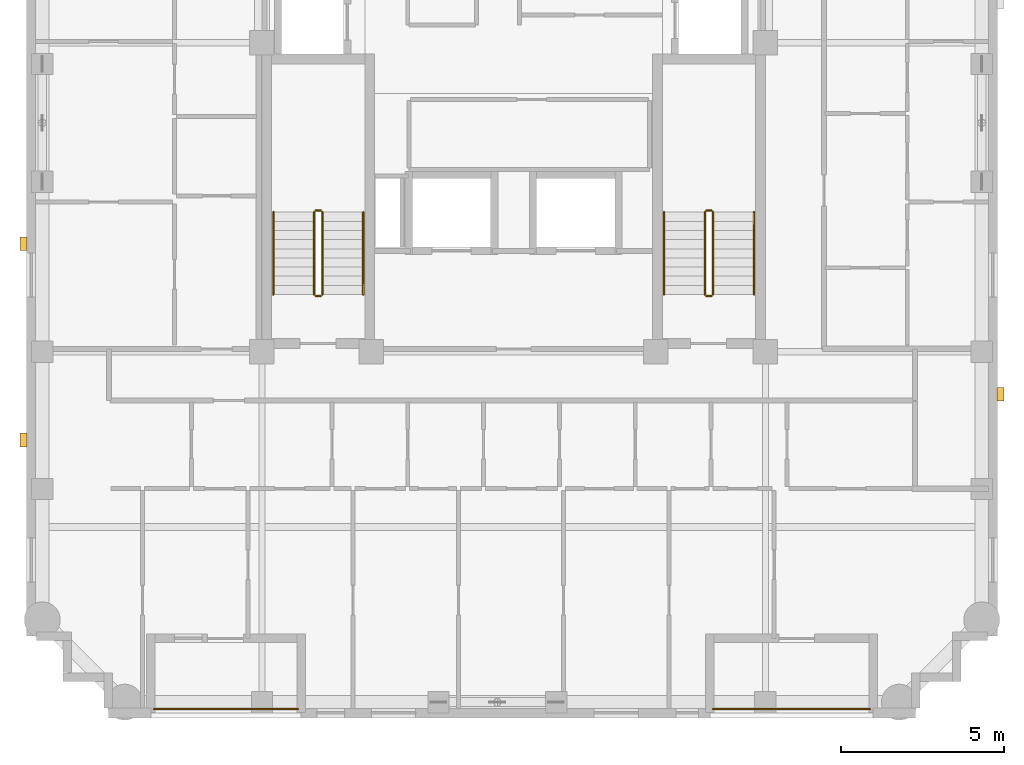
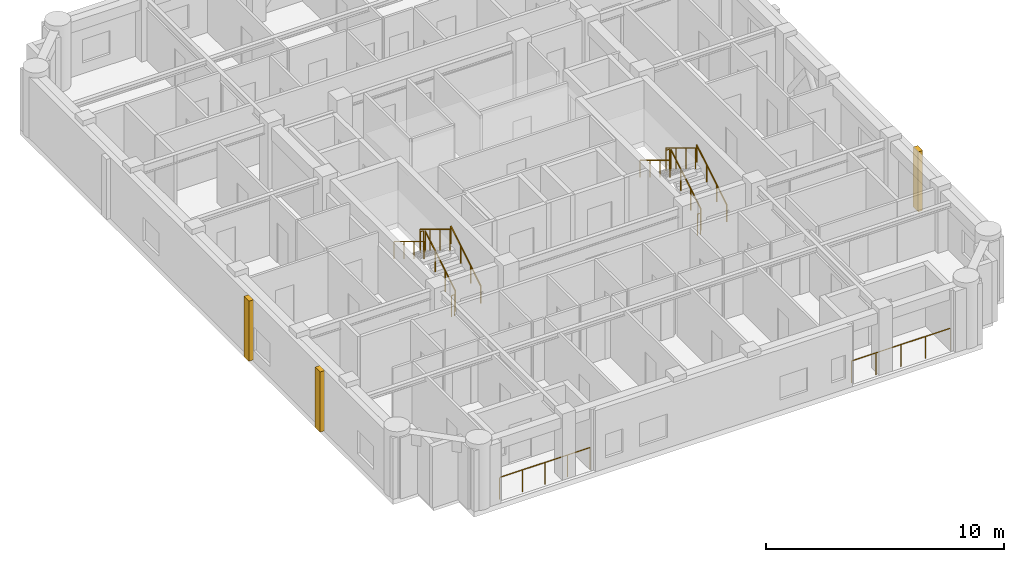
# One storey, part 10 of 11: 14 railings, 3 coverings.
"""IFC4 building model written with IfcOpenShell, lengths in metres."""

from ifc_helpers import new_model, si_unit, derived_unit, direction, frame, origin, origin_2d, place, context, subcontext, project, spatial, rectangle, circle, extrude, material, layer, layer_set, type_object, element, save


model = new_model("IFC4")

# Units and contexts
model_context = context("Model", 3, precision=1e-05, world=origin(), true_north=direction((0.0, 1.0)))
body_context = subcontext(model_context, "Body", "Model", "MODEL_VIEW")
ifc_project = project(units=[si_unit("LENGTHUNIT", "METRE"), si_unit("AREAUNIT", "SQUARE_METRE"), si_unit("VOLUMEUNIT", "CUBIC_METRE"), si_unit("PLANEANGLEUNIT", "RADIAN"), si_unit("MASSUNIT", "GRAM", prefix="KILO"), derived_unit("THERMALTRANSMITTANCEUNIT", [(si_unit("MASSUNIT", "GRAM", prefix="KILO"), 1), (si_unit("TIMEUNIT", "SECOND"), -3), (si_unit("THERMODYNAMICTEMPERATUREUNIT", "KELVIN"), -1)])], contexts=[model_context])

# Site, building, storey
site_placement = place(None, origin())
site = spatial("IfcSite", under=ifc_project, at=site_placement, CompositionType="ELEMENT")
building_placement = place(site_placement, origin())
building = spatial("IfcBuilding", under=site, at=building_placement, Name="Korrvale Station Residences", CompositionType="ELEMENT")
storey_placement = place(building_placement, frame((0.0, 0.0, 227.5)))
storey = spatial("IfcBuildingStorey", under=building, at=storey_placement, Name="L66", CompositionType="ELEMENT", Elevation=227.5)

# Coverings
ifc_material_1 = material(Name="Architectural precast concrete C45/55", Category="concrete")
ifc_layer = layer(ifc_material_1, 0.219970703125, Name="Architectural precast concrete C45/55")
ifc_layer_set = layer_set([ifc_layer], Name="Architectural precast concrete C45/55")
covering_type = type_object("IfcCoveringType", Name="COV-PIER-400", PredefinedType="CLADDING", material=ifc_layer_set)
for number, where, z_axis, x_axis, name in (
    (1, (10.510009765625, 12.300048828125, 0.02490234375), (0.0, 0.0, 1.0), (0.0, 1.0, 0.0), "L66 Architectural Precast Facade Pier 02"),
    (2, (10.510009765625, 18.300048828125, 0.02490234375), (0.0, 0.0, 1.0), (0.0, 1.0, 0.0), "L66 Architectural Precast Facade Pier 03"),
    (3, (40.389892578125, 13.699951171875, 0.02490234375), (0.0, 0.0, 1.0), (0.0, 1.0, 0.0), "L66 Architectural Precast Facade Pier 07"),
):
    element("IfcCovering", number, at=place(storey_placement, frame(where, z_axis=z_axis, x_axis=x_axis)), inside=storey, type_object=covering_type, Name=name, PredefinedType="CLADDING", context=body_context, shape_type="SweptSolid", body=[
        extrude(rectangle(XDim=0.419921875, YDim=0.219970703125, at=origin_2d()), origin(), (0.0, 0.0, 1.0), 3.090087890625),
    ])

# Railings
ifc_material_2 = material(Name="Powder-coated aluminium picket loggia guard", Category="aluminium")
railing_type_1 = type_object("IfcRailingType", Name="RLG-BAL-1150", PredefinedType="GUARDRAIL", material=ifc_material_2)
railing_1_placement = place(storey_placement, frame((31.60009765625, 4.070068359375, 0.0)))
element("IfcRailing", 4, at=railing_1_placement, inside=storey, type_object=railing_type_1, Name="L66 Recessed Loggia Guardrail BAL-L66-S2", PredefinedType="GUARDRAIL", context=body_context, shape_type="SweptSolid", body=[
    extrude(circle(Radius=0.02392578125, at=origin_2d()), frame((0.0, 0.0, 1.1259765625), z_axis=(1.0, 0.0, 0.0), x_axis=(0.0, 1.0, 0.0)), (0.0, 0.0, 1.0), 4.7998046875),
    extrude(circle(Radius=0.02099609375, at=origin_2d()), origin(), (0.0, 0.0, 1.0), 1.101806640625),
    extrude(circle(Radius=0.02099609375, at=origin_2d()), frame((1.199951171875, 0.0, 0.0)), (0.0, 0.0, 1.0), 1.101806640625),
    extrude(circle(Radius=0.02099609375, at=origin_2d()), frame((2.39990234375, 0.0, 0.0)), (0.0, 0.0, 1.0), 1.101806640625),
    extrude(circle(Radius=0.02099609375, at=origin_2d()), frame((3.599853515625, 0.0, 0.0)), (0.0, 0.0, 1.0), 1.101806640625),
    extrude(circle(Radius=0.02099609375, at=origin_2d()), frame((4.7998046875, 0.0, 0.0)), (0.0, 0.0, 1.0), 1.101806640625),
])
railing_2_placement = place(storey_placement, frame((14.5, 4.070068359375, 0.0)))
element("IfcRailing", 5, at=railing_2_placement, inside=storey, type_object=railing_type_1, Name="L66 Recessed Loggia Guardrail BAL-L66-S1", PredefinedType="GUARDRAIL", context=body_context, shape_type="SweptSolid", body=[
    extrude(circle(Radius=0.02392578125, at=origin_2d()), frame((0.0, 0.0, 1.1259765625), z_axis=(1.0, 0.0, 0.0), x_axis=(0.0, 1.0, 0.0)), (0.0, 0.0, 1.0), 4.39990234375),
    extrude(circle(Radius=0.02099609375, at=origin_2d()), origin(), (0.0, 0.0, 1.0), 1.101806640625),
    extrude(circle(Radius=0.02099609375, at=origin_2d()), frame((1.10009765625, 0.0, 0.0)), (0.0, 0.0, 1.0), 1.101806640625),
    extrude(circle(Radius=0.02099609375, at=origin_2d()), frame((2.199951171875, 0.0, 0.0)), (0.0, 0.0, 1.0), 1.101806640625),
    extrude(circle(Radius=0.02099609375, at=origin_2d()), frame((3.2998046875, 0.0, 0.0)), (0.0, 0.0, 1.0), 1.101806640625),
    extrude(circle(Radius=0.02099609375, at=origin_2d()), frame((4.39990234375, 0.0, 0.0)), (0.0, 0.0, 1.0), 1.101806640625),
])
ifc_material_3 = material(Name="Brushed stainless-steel continuous stair handrail", Category="steel")
railing_type_2 = type_object("IfcRailingType", Name="RLG-SHND-900", PredefinedType="HANDRAIL", material=ifc_material_3)
railing_3_placement = place(storey_placement, frame((20.89990234375, 16.75, 0.169921875)))
element("IfcRailing", 6, at=railing_3_placement, inside=storey, type_object=railing_type_2, Name="L66 ST-1 stair handrail 1", PredefinedType="HANDRAIL", context=body_context, shape_type="SweptSolid", body=[
    extrude(circle(Radius=0.02392578125, at=origin_2d()), frame((0.0, 0.0, 0.8759765625), z_axis=(0.0, 0.85478489116, 0.518982456201), x_axis=(-1.0, 0.0, 0.0)), (0.0, 0.0, 1.0), 2.9482421875),
    extrude(circle(Radius=0.02099609375, at=origin_2d()), origin(), (0.0, 0.0, 1.0), 0.851806640625),
    extrude(circle(Radius=0.02099609375, at=origin_2d()), frame((0.0, 0.840087890625, 0.510009765625)), (0.0, 0.0, 1.0), 0.851806640625),
    extrude(circle(Radius=0.02099609375, at=origin_2d()), frame((0.0, 1.679931640625, 1.02001953125)), (0.0, 0.0, 1.0), 0.851806640625),
    extrude(circle(Radius=0.02099609375, at=origin_2d()), frame((0.0, 2.52001953125, 1.530029296875)), (0.0, 0.0, 1.0), 0.851806640625),
])
railing_4_placement = place(storey_placement, frame((18.14990234375, 19.27001953125, 1.8701171875)))
element("IfcRailing", 7, at=railing_4_placement, inside=storey, type_object=railing_type_2, Name="L66 ST-1 stair handrail 2", PredefinedType="HANDRAIL", context=body_context, shape_type="SweptSolid", body=[
    extrude(circle(Radius=0.02392578125, at=origin_2d()), frame((0.0, 0.0, 0.8759765625), z_axis=(0.0, -0.854821627497, 0.518921945155), x_axis=(1.0, 0.0, 0.0)), (0.0, 0.0, 1.0), 2.947998046875),
    extrude(circle(Radius=0.02099609375, at=origin_2d()), origin(), (0.0, 0.0, 1.0), 0.851806640625),
    extrude(circle(Radius=0.02099609375, at=origin_2d()), frame((0.0, -0.840087890625, 0.510009765625)), (0.0, 0.0, 1.0), 0.851806640625),
    extrude(circle(Radius=0.02099609375, at=origin_2d()), frame((0.0, -1.679931640625, 1.019775390625)), (0.0, 0.0, 1.0), 0.851806640625),
    extrude(circle(Radius=0.02099609375, at=origin_2d()), frame((0.0, -2.52001953125, 1.52978515625)), (0.0, 0.0, 1.0), 0.851806640625),
])
railing_5_placement = place(storey_placement, frame((32.85009765625, 16.75, 0.169921875)))
element("IfcRailing", 8, at=railing_5_placement, inside=storey, type_object=railing_type_2, Name="L66 ST-2 stair handrail 1", PredefinedType="HANDRAIL", context=body_context, shape_type="SweptSolid", body=[
    extrude(circle(Radius=0.02392578125, at=origin_2d()), frame((0.0, 0.0, 0.8759765625), z_axis=(0.0, 0.85478489116, 0.518982456201), x_axis=(-1.0, 0.0, 0.0)), (0.0, 0.0, 1.0), 2.9482421875),
    extrude(circle(Radius=0.02099609375, at=origin_2d()), origin(), (0.0, 0.0, 1.0), 0.851806640625),
    extrude(circle(Radius=0.02099609375, at=origin_2d()), frame((0.0, 0.840087890625, 0.510009765625)), (0.0, 0.0, 1.0), 0.851806640625),
    extrude(circle(Radius=0.02099609375, at=origin_2d()), frame((0.0, 1.679931640625, 1.02001953125)), (0.0, 0.0, 1.0), 0.851806640625),
    extrude(circle(Radius=0.02099609375, at=origin_2d()), frame((0.0, 2.52001953125, 1.530029296875)), (0.0, 0.0, 1.0), 0.851806640625),
])
railing_6_placement = place(storey_placement, frame((30.10009765625, 19.27001953125, 1.8701171875)))
element("IfcRailing", 9, at=railing_6_placement, inside=storey, type_object=railing_type_2, Name="L66 ST-2 stair handrail 2", PredefinedType="HANDRAIL", context=body_context, shape_type="SweptSolid", body=[
    extrude(circle(Radius=0.02392578125, at=origin_2d()), frame((0.0, 0.0, 0.8759765625), z_axis=(0.0, -0.854821627497, 0.518921945155), x_axis=(1.0, 0.0, 0.0)), (0.0, 0.0, 1.0), 2.947998046875),
    extrude(circle(Radius=0.02099609375, at=origin_2d()), origin(), (0.0, 0.0, 1.0), 0.851806640625),
    extrude(circle(Radius=0.02099609375, at=origin_2d()), frame((0.0, -0.840087890625, 0.510009765625)), (0.0, 0.0, 1.0), 0.851806640625),
    extrude(circle(Radius=0.02099609375, at=origin_2d()), frame((0.0, -1.679931640625, 1.019775390625)), (0.0, 0.0, 1.0), 0.851806640625),
    extrude(circle(Radius=0.02099609375, at=origin_2d()), frame((0.0, -2.52001953125, 1.52978515625)), (0.0, 0.0, 1.0), 0.851806640625),
])
ifc_material_4 = material(Name="Galvanised painted tubular steel stair guard", Category="steel")
railing_type_3 = type_object("IfcRailingType", Name="RLG-STR-1100", PredefinedType="GUARDRAIL", material=ifc_material_4)
railing_7_placement = place(storey_placement, frame((19.64990234375, 16.75, 0.169921875)))
element("IfcRailing", 10, at=railing_7_placement, inside=storey, type_object=railing_type_3, Name="L66 ST-1 stair guard 1", PredefinedType="GUARDRAIL", context=body_context, shape_type="SweptSolid", body=[
    extrude(circle(Radius=0.02392578125, at=origin_2d()), frame((0.0, 0.0, 1.076171875), z_axis=(0.0, 0.85478489116, 0.518982456201), x_axis=(-1.0, 0.0, 0.0)), (0.0, 0.0, 1.0), 2.9482421875),
    extrude(circle(Radius=0.02099609375, at=origin_2d()), origin(), (0.0, 0.0, 1.0), 1.052001953125),
    extrude(circle(Radius=0.02099609375, at=origin_2d()), frame((0.0, 0.840087890625, 0.510009765625)), (0.0, 0.0, 1.0), 1.052001953125),
    extrude(circle(Radius=0.02099609375, at=origin_2d()), frame((0.0, 1.679931640625, 1.02001953125)), (0.0, 0.0, 1.0), 1.052001953125),
    extrude(circle(Radius=0.02099609375, at=origin_2d()), frame((0.0, 2.52001953125, 1.530029296875)), (0.0, 0.0, 1.0), 1.052001953125),
])
railing_8_placement = place(storey_placement, frame((19.60009765625, 19.320068359375, 1.699951171875)))
element("IfcRailing", 11, at=railing_8_placement, inside=storey, type_object=railing_type_3, Name="L66 ST-1 stair guard 2", PredefinedType="GUARDRAIL", context=body_context, shape_type="SweptSolid", body=[
    extrude(circle(Radius=0.02392578125, at=origin_2d()), frame((0.0, 0.0, 1.076171875), z_axis=(-1.0, 0.0, 0.0), x_axis=(0.0, -1.0, 0.0)), (0.0, 0.0, 1.0), 0.150146484375),
    extrude(circle(Radius=0.02099609375, at=origin_2d()), origin(), (0.0, 0.0, 1.0), 1.052001953125),
    extrude(circle(Radius=0.02099609375, at=origin_2d()), frame((-0.150146484375, 0.0, 0.0)), (0.0, 0.0, 1.0), 1.052001953125),
])
railing_9_placement = place(storey_placement, frame((19.39990234375, 19.27001953125, 1.8701171875)))
element("IfcRailing", 12, at=railing_9_placement, inside=storey, type_object=railing_type_3, Name="L66 ST-1 stair guard 3", PredefinedType="GUARDRAIL", context=body_context, shape_type="SweptSolid", body=[
    extrude(circle(Radius=0.02392578125, at=origin_2d()), frame((0.0, 0.0, 1.076171875), z_axis=(0.0, -0.854821627497, 0.518921945155), x_axis=(1.0, 0.0, 0.0)), (0.0, 0.0, 1.0), 2.947998046875),
    extrude(circle(Radius=0.02099609375, at=origin_2d()), origin(), (0.0, 0.0, 1.0), 1.052001953125),
    extrude(circle(Radius=0.02099609375, at=origin_2d()), frame((0.0, -0.840087890625, 0.510009765625)), (0.0, 0.0, 1.0), 1.052001953125),
    extrude(circle(Radius=0.02099609375, at=origin_2d()), frame((0.0, -1.679931640625, 1.019775390625)), (0.0, 0.0, 1.0), 1.052001953125),
    extrude(circle(Radius=0.02099609375, at=origin_2d()), frame((0.0, -2.52001953125, 1.52978515625)), (0.0, 0.0, 1.0), 1.052001953125),
])
railing_10_placement = place(storey_placement, frame((19.60009765625, 16.699951171875, 0.0)))
element("IfcRailing", 13, at=railing_10_placement, inside=storey, type_object=railing_type_3, Name="L66 ST-1 stair guard 4", PredefinedType="GUARDRAIL", context=body_context, shape_type="SweptSolid", body=[
    extrude(circle(Radius=0.02392578125, at=origin_2d()), frame((0.0, 0.0, 1.076171875), z_axis=(-1.0, 0.0, 0.0), x_axis=(0.0, -1.0, 0.0)), (0.0, 0.0, 1.0), 0.150146484375),
    extrude(circle(Radius=0.02099609375, at=origin_2d()), origin(), (0.0, 0.0, 1.0), 1.052001953125),
    extrude(circle(Radius=0.02099609375, at=origin_2d()), frame((-0.150146484375, 0.0, 0.0)), (0.0, 0.0, 1.0), 1.052001953125),
])
railing_11_placement = place(storey_placement, frame((31.60009765625, 16.75, 0.169921875)))
element("IfcRailing", 14, at=railing_11_placement, inside=storey, type_object=railing_type_3, Name="L66 ST-2 stair guard 1", PredefinedType="GUARDRAIL", context=body_context, shape_type="SweptSolid", body=[
    extrude(circle(Radius=0.02392578125, at=origin_2d()), frame((0.0, 0.0, 1.076171875), z_axis=(0.0, 0.85478489116, 0.518982456201), x_axis=(-1.0, 0.0, 0.0)), (0.0, 0.0, 1.0), 2.9482421875),
    extrude(circle(Radius=0.02099609375, at=origin_2d()), origin(), (0.0, 0.0, 1.0), 1.052001953125),
    extrude(circle(Radius=0.02099609375, at=origin_2d()), frame((0.0, 0.840087890625, 0.510009765625)), (0.0, 0.0, 1.0), 1.052001953125),
    extrude(circle(Radius=0.02099609375, at=origin_2d()), frame((0.0, 1.679931640625, 1.02001953125)), (0.0, 0.0, 1.0), 1.052001953125),
    extrude(circle(Radius=0.02099609375, at=origin_2d()), frame((0.0, 2.52001953125, 1.530029296875)), (0.0, 0.0, 1.0), 1.052001953125),
])
railing_12_placement = place(storey_placement, frame((31.550048828125, 19.320068359375, 1.699951171875)))
element("IfcRailing", 15, at=railing_12_placement, inside=storey, type_object=railing_type_3, Name="L66 ST-2 stair guard 2", PredefinedType="GUARDRAIL", context=body_context, shape_type="SweptSolid", body=[
    extrude(circle(Radius=0.02392578125, at=origin_2d()), frame((0.0, 0.0, 1.076171875), z_axis=(-1.0, 0.0, 0.0), x_axis=(0.0, -1.0, 0.0)), (0.0, 0.0, 1.0), 0.150146484375),
    extrude(circle(Radius=0.02099609375, at=origin_2d()), origin(), (0.0, 0.0, 1.0), 1.052001953125),
    extrude(circle(Radius=0.02099609375, at=origin_2d()), frame((-0.150146484375, 0.0, 0.0)), (0.0, 0.0, 1.0), 1.052001953125),
])
railing_13_placement = place(storey_placement, frame((31.35009765625, 19.27001953125, 1.8701171875)))
element("IfcRailing", 16, at=railing_13_placement, inside=storey, type_object=railing_type_3, Name="L66 ST-2 stair guard 3", PredefinedType="GUARDRAIL", context=body_context, shape_type="SweptSolid", body=[
    extrude(circle(Radius=0.02392578125, at=origin_2d()), frame((0.0, 0.0, 1.076171875), z_axis=(0.0, -0.854821627497, 0.518921945155), x_axis=(1.0, 0.0, 0.0)), (0.0, 0.0, 1.0), 2.947998046875),
    extrude(circle(Radius=0.02099609375, at=origin_2d()), origin(), (0.0, 0.0, 1.0), 1.052001953125),
    extrude(circle(Radius=0.02099609375, at=origin_2d()), frame((0.0, -0.840087890625, 0.510009765625)), (0.0, 0.0, 1.0), 1.052001953125),
    extrude(circle(Radius=0.02099609375, at=origin_2d()), frame((0.0, -1.679931640625, 1.019775390625)), (0.0, 0.0, 1.0), 1.052001953125),
    extrude(circle(Radius=0.02099609375, at=origin_2d()), frame((0.0, -2.52001953125, 1.52978515625)), (0.0, 0.0, 1.0), 1.052001953125),
])
railing_14_placement = place(storey_placement, frame((31.550048828125, 16.699951171875, 0.0)))
element("IfcRailing", 17, at=railing_14_placement, inside=storey, type_object=railing_type_3, Name="L66 ST-2 stair guard 4", PredefinedType="GUARDRAIL", context=body_context, shape_type="SweptSolid", body=[
    extrude(circle(Radius=0.02392578125, at=origin_2d()), frame((0.0, 0.0, 1.076171875), z_axis=(-1.0, 0.0, 0.0), x_axis=(0.0, -1.0, 0.0)), (0.0, 0.0, 1.0), 0.150146484375),
    extrude(circle(Radius=0.02099609375, at=origin_2d()), origin(), (0.0, 0.0, 1.0), 1.052001953125),
    extrude(circle(Radius=0.02099609375, at=origin_2d()), frame((-0.150146484375, 0.0, 0.0)), (0.0, 0.0, 1.0), 1.052001953125),
])

save(model, "model.ifc")
